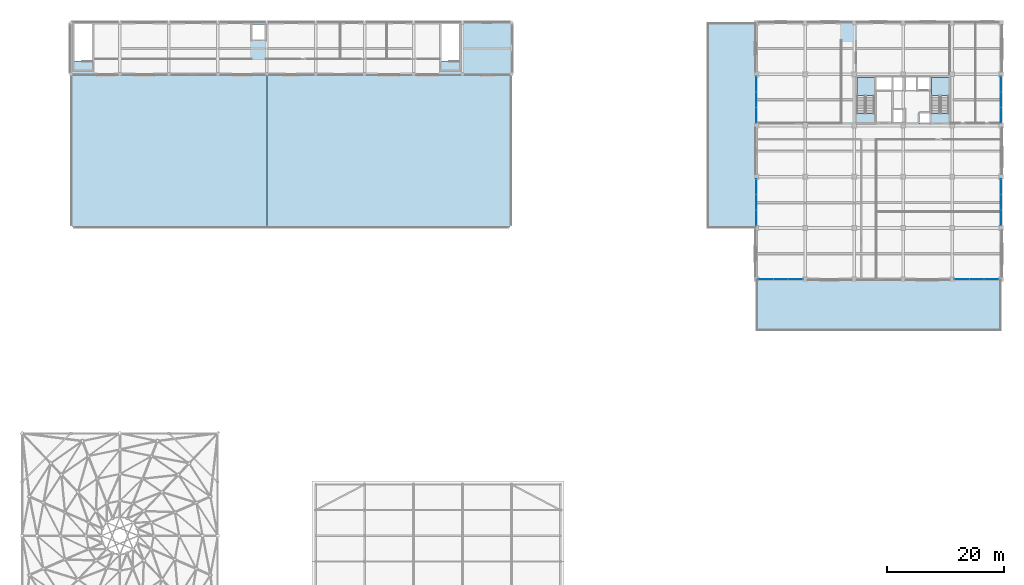
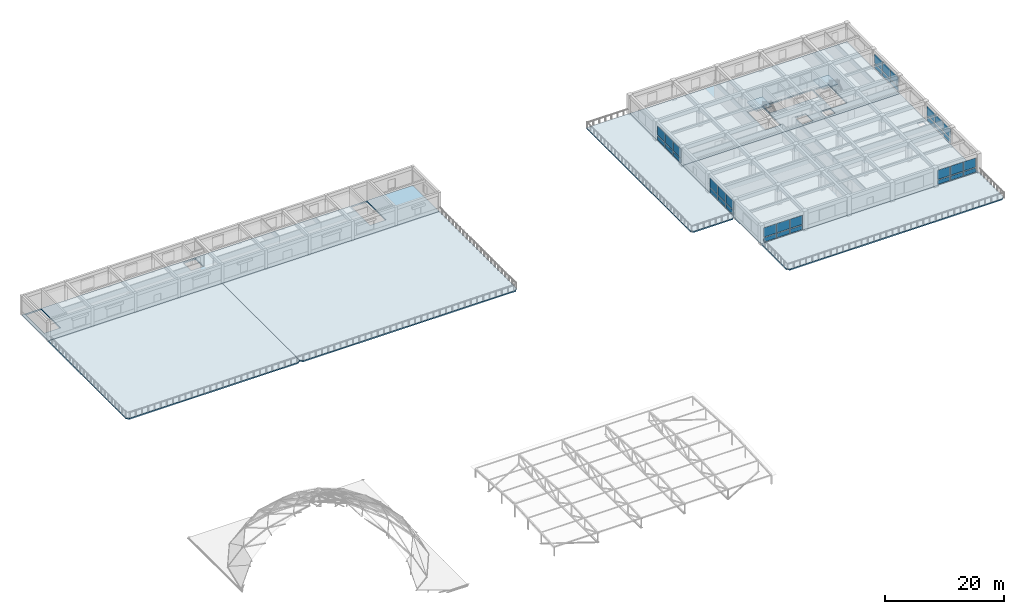
# One storey, part 32 of 49: 36 plates, 9 slabs, 8 elements without a shape of their own.
"""IFC4 building model written with IfcOpenShell, lengths in metres."""

from ifc_helpers import new_model, si_unit, direction, frame, origin, origin_2d, place, context, subcontext, project, spatial, polyline, rectangle, outline, extrude, material, layer, layer_set, type_object, element, aggregate, save


model = new_model("IFC4")

# Units and contexts
model_context = context("Model", 3, precision=1e-05, world=origin(), true_north=direction((0.0, 1.0)))
body_context = subcontext(model_context, "Body", "Model", "MODEL_VIEW")
ifc_project = project(units=[si_unit("LENGTHUNIT", "METRE"), si_unit("AREAUNIT", "SQUARE_METRE"), si_unit("VOLUMEUNIT", "CUBIC_METRE"), si_unit("PLANEANGLEUNIT", "RADIAN"), si_unit("MASSUNIT", "GRAM", prefix="KILO")], contexts=[model_context])

# Site, building, storey
site_placement = place(None, origin())
site = spatial("IfcSite", under=ifc_project, at=site_placement, CompositionType="ELEMENT")
building_placement = place(site_placement, origin())
building = spatial("IfcBuilding", under=site, at=building_placement, Name="Kemercrest Conservatory and Botanical Centre", CompositionType="ELEMENT")
storey_placement = place(building_placement, frame((0.0, 0.0, 13.199951171875)))
storey = spatial("IfcBuildingStorey", under=building, at=storey_placement, Name="L03", CompositionType="ELEMENT", Elevation=13.199951171875)

# Curtain wall, plates
ifc_material_1 = material(Name="Thermally broken aluminium and triple low-e glazing", Category="aluminium")
curtain_wall_type_1 = type_object("IfcCurtainWallType", Name="CW-03", PredefinedType="USERDEFINED", material=ifc_material_1)
curtain_wall_1_placement = place(storey_placement, origin())
curtain_wall_1 = element("IfcCurtainWall", 1, at=curtain_wall_1_placement, inside=storey, type_object=curtain_wall_type_1, Name="Unitised curtain wall CW-03 (CW:L03:V4-062)", ObjectType="UNITISED CURTAIN WALL", PredefinedType="USERDEFINED")
ifc_material_2 = material(Name="Triple low-e argon insulated glazing unit", Category="glass")
ifc_layer_1 = layer(ifc_material_2, 0.035888671875)
ifc_layer_set_1 = layer_set([ifc_layer_1], Name="Triple low-e argon insulated glazing unit")
plate_type = type_object("IfcPlateType", Name="CW-PNL036", PredefinedType="CURTAIN_PANEL", material=ifc_layer_set_1)
plate_1_placement = place(storey_placement, frame((135.6796875, 78.39990234375, 0.179931640625), z_axis=(0.0, 0.0, 1.0), x_axis=(1.0, 0.0, 0.0)))
plate_1 = element("IfcPlate", 2, at=plate_1_placement, type_object=plate_type, Name="CW-03 panel 1.1", PredefinedType="CURTAIN_PANEL", context=body_context, shape_type="SweptSolid", body=[
    extrude(rectangle(XDim=2.439208984375, YDim=0.035888671875, at=origin_2d()), origin(), (0.0, 0.0, 1.0), 0.85009765625),
])
plate_2_placement = place(storey_placement, frame((135.6796875, 78.39990234375, 1.2099609375), z_axis=(0.0, 0.0, 1.0), x_axis=(1.0, 0.0, 0.0)))
plate_2 = element("IfcPlate", 3, at=plate_2_placement, type_object=plate_type, Name="CW-03 panel 1.2", PredefinedType="CURTAIN_PANEL", context=body_context, shape_type="SweptSolid", body=[
    extrude(rectangle(XDim=2.439208984375, YDim=0.035888671875, at=origin_2d()), origin(), (0.0, 0.0, 1.0), 1.864990234375),
])
plate_3_placement = place(storey_placement, frame((138.199951171875, 78.39990234375, 0.179931640625), z_axis=(0.0, 0.0, 1.0), x_axis=(1.0, 0.0, 0.0)))
plate_3 = element("IfcPlate", 4, at=plate_3_placement, type_object=plate_type, Name="CW-03 panel 2.1", PredefinedType="CURTAIN_PANEL", context=body_context, shape_type="SweptSolid", body=[
    extrude(rectangle(XDim=2.4716796875, YDim=0.035888671875, at=origin_2d()), origin(), (0.0, 0.0, 1.0), 0.85009765625),
])
plate_4_placement = place(storey_placement, frame((138.199951171875, 78.39990234375, 1.2099609375), z_axis=(0.0, 0.0, 1.0), x_axis=(1.0, 0.0, 0.0)))
plate_4 = element("IfcPlate", 5, at=plate_4_placement, type_object=plate_type, Name="CW-03 panel 2.2", PredefinedType="CURTAIN_PANEL", context=body_context, shape_type="SweptSolid", body=[
    extrude(rectangle(XDim=2.4716796875, YDim=0.035888671875, at=origin_2d()), origin(), (0.0, 0.0, 1.0), 1.864990234375),
])
plate_5_placement = place(storey_placement, frame((140.720458984375, 78.39990234375, 0.179931640625), z_axis=(0.0, 0.0, 1.0), x_axis=(1.0, 0.0, 0.0)))
plate_5 = element("IfcPlate", 6, at=plate_5_placement, type_object=plate_type, Name="CW-03 panel 3.1", PredefinedType="CURTAIN_PANEL", context=body_context, shape_type="SweptSolid", body=[
    extrude(rectangle(XDim=2.439208984375, YDim=0.035888671875, at=origin_2d()), origin(), (0.0, 0.0, 1.0), 0.85009765625),
])
plate_6_placement = place(storey_placement, frame((140.720458984375, 78.39990234375, 1.2099609375), z_axis=(0.0, 0.0, 1.0), x_axis=(1.0, 0.0, 0.0)))
plate_6 = element("IfcPlate", 7, at=plate_6_placement, type_object=plate_type, Name="CW-03 panel 3.2", PredefinedType="CURTAIN_PANEL", context=body_context, shape_type="SweptSolid", body=[
    extrude(rectangle(XDim=2.439208984375, YDim=0.035888671875, at=origin_2d()), origin(), (0.0, 0.0, 1.0), 1.864990234375),
])
aggregate(curtain_wall_1, [plate_1, plate_2, plate_3, plate_4, plate_5, plate_6])

curtain_wall_type_2 = type_object("IfcCurtainWallType", Name="CW-04", PredefinedType="USERDEFINED", material=ifc_material_1)
curtain_wall_2_placement = place(storey_placement, origin())
curtain_wall_2 = element("IfcCurtainWall", 8, at=curtain_wall_2_placement, inside=storey, type_object=curtain_wall_type_2, Name="Unitised curtain wall CW-04 (CW:L03:V4-063)", ObjectType="UNITISED CURTAIN WALL", PredefinedType="USERDEFINED")
plate_7_placement = place(storey_placement, frame((169.279541015625, 78.39990234375, 0.179931640625), z_axis=(0.0, 0.0, 1.0), x_axis=(1.0, 0.0, 0.0)))
plate_7 = element("IfcPlate", 9, at=plate_7_placement, type_object=plate_type, Name="CW-04 panel 1.1", PredefinedType="CURTAIN_PANEL", context=body_context, shape_type="SweptSolid", body=[
    extrude(rectangle(XDim=2.439208984375, YDim=0.035888671875, at=origin_2d()), origin(), (0.0, 0.0, 1.0), 0.85009765625),
])
plate_8_placement = place(storey_placement, frame((169.279541015625, 78.39990234375, 1.2099609375), z_axis=(0.0, 0.0, 1.0), x_axis=(1.0, 0.0, 0.0)))
plate_8 = element("IfcPlate", 10, at=plate_8_placement, type_object=plate_type, Name="CW-04 panel 1.2", PredefinedType="CURTAIN_PANEL", context=body_context, shape_type="SweptSolid", body=[
    extrude(rectangle(XDim=2.439208984375, YDim=0.035888671875, at=origin_2d()), origin(), (0.0, 0.0, 1.0), 1.864990234375),
])
plate_9_placement = place(storey_placement, frame((171.800048828125, 78.39990234375, 0.179931640625), z_axis=(0.0, 0.0, 1.0), x_axis=(1.0, 0.0, 0.0)))
plate_9 = element("IfcPlate", 11, at=plate_9_placement, type_object=plate_type, Name="CW-04 panel 2.1", PredefinedType="CURTAIN_PANEL", context=body_context, shape_type="SweptSolid", body=[
    extrude(rectangle(XDim=2.4716796875, YDim=0.035888671875, at=origin_2d()), origin(), (0.0, 0.0, 1.0), 0.85009765625),
])
plate_10_placement = place(storey_placement, frame((171.800048828125, 78.39990234375, 1.2099609375), z_axis=(0.0, 0.0, 1.0), x_axis=(1.0, 0.0, 0.0)))
plate_10 = element("IfcPlate", 12, at=plate_10_placement, type_object=plate_type, Name="CW-04 panel 2.2", PredefinedType="CURTAIN_PANEL", context=body_context, shape_type="SweptSolid", body=[
    extrude(rectangle(XDim=2.4716796875, YDim=0.035888671875, at=origin_2d()), origin(), (0.0, 0.0, 1.0), 1.864990234375),
])
plate_11_placement = place(storey_placement, frame((174.3203125, 78.39990234375, 0.179931640625), z_axis=(0.0, 0.0, 1.0), x_axis=(1.0, 0.0, 0.0)))
plate_11 = element("IfcPlate", 13, at=plate_11_placement, type_object=plate_type, Name="CW-04 panel 3.1", PredefinedType="CURTAIN_PANEL", context=body_context, shape_type="SweptSolid", body=[
    extrude(rectangle(XDim=2.439208984375, YDim=0.035888671875, at=origin_2d()), origin(), (0.0, 0.0, 1.0), 0.85009765625),
])
plate_12_placement = place(storey_placement, frame((174.3203125, 78.39990234375, 1.2099609375), z_axis=(0.0, 0.0, 1.0), x_axis=(1.0, 0.0, 0.0)))
plate_12 = element("IfcPlate", 14, at=plate_12_placement, type_object=plate_type, Name="CW-04 panel 3.2", PredefinedType="CURTAIN_PANEL", context=body_context, shape_type="SweptSolid", body=[
    extrude(rectangle(XDim=2.439208984375, YDim=0.035888671875, at=origin_2d()), origin(), (0.0, 0.0, 1.0), 1.864990234375),
])
aggregate(curtain_wall_2, [plate_7, plate_8, plate_9, plate_10, plate_11, plate_12])

curtain_wall_type_3 = type_object("IfcCurtainWallType", Name="CW-05", PredefinedType="USERDEFINED", material=ifc_material_1)
curtain_wall_3_placement = place(storey_placement, origin())
curtain_wall_3 = element("IfcCurtainWall", 15, at=curtain_wall_3_placement, inside=storey, type_object=curtain_wall_type_3, Name="Unitised curtain wall CW-05 (CW:L03:V4-064)", ObjectType="UNITISED CURTAIN WALL", PredefinedType="USERDEFINED")
plate_13_placement = place(storey_placement, frame((176.0, 88.9462890625, 0.179931640625), z_axis=(0.0, 0.0, 1.0), x_axis=(0.0, 1.0, 0.0)))
plate_13 = element("IfcPlate", 16, at=plate_13_placement, type_object=plate_type, Name="CW-05 panel 1.1", PredefinedType="CURTAIN_PANEL", context=body_context, shape_type="SweptSolid", body=[
    extrude(rectangle(XDim=2.572509765625, YDim=0.035888671875, at=origin_2d()), origin(), (0.0, 0.0, 1.0), 0.85009765625),
])
plate_14_placement = place(storey_placement, frame((176.0, 88.9462890625, 1.2099609375), z_axis=(0.0, 0.0, 1.0), x_axis=(0.0, 1.0, 0.0)))
plate_14 = element("IfcPlate", 17, at=plate_14_placement, type_object=plate_type, Name="CW-05 panel 1.2", PredefinedType="CURTAIN_PANEL", context=body_context, shape_type="SweptSolid", body=[
    extrude(rectangle(XDim=2.572509765625, YDim=0.035888671875, at=origin_2d()), origin(), (0.0, 0.0, 1.0), 1.864990234375),
])
plate_15_placement = place(storey_placement, frame((176.0, 91.60009765625, 0.179931640625), z_axis=(0.0, 0.0, 1.0), x_axis=(0.0, 1.0, 0.0)))
plate_15 = element("IfcPlate", 18, at=plate_15_placement, type_object=plate_type, Name="CW-05 panel 2.1", PredefinedType="CURTAIN_PANEL", context=body_context, shape_type="SweptSolid", body=[
    extrude(rectangle(XDim=2.60498046875, YDim=0.035888671875, at=origin_2d()), origin(), (0.0, 0.0, 1.0), 0.85009765625),
])
plate_16_placement = place(storey_placement, frame((176.0, 91.60009765625, 1.2099609375), z_axis=(0.0, 0.0, 1.0), x_axis=(0.0, 1.0, 0.0)))
plate_16 = element("IfcPlate", 19, at=plate_16_placement, type_object=plate_type, Name="CW-05 panel 2.2", PredefinedType="CURTAIN_PANEL", context=body_context, shape_type="SweptSolid", body=[
    extrude(rectangle(XDim=2.60498046875, YDim=0.035888671875, at=origin_2d()), origin(), (0.0, 0.0, 1.0), 1.864990234375),
])
plate_17_placement = place(storey_placement, frame((176.0, 94.253662109375, 0.179931640625), z_axis=(0.0, 0.0, 1.0), x_axis=(0.0, 1.0, 0.0)))
plate_17 = element("IfcPlate", 20, at=plate_17_placement, type_object=plate_type, Name="CW-05 panel 3.1", PredefinedType="CURTAIN_PANEL", context=body_context, shape_type="SweptSolid", body=[
    extrude(rectangle(XDim=2.572509765625, YDim=0.035888671875, at=origin_2d()), origin(), (0.0, 0.0, 1.0), 0.85009765625),
])
plate_18_placement = place(storey_placement, frame((176.0, 94.253662109375, 1.2099609375), z_axis=(0.0, 0.0, 1.0), x_axis=(0.0, 1.0, 0.0)))
plate_18 = element("IfcPlate", 21, at=plate_18_placement, type_object=plate_type, Name="CW-05 panel 3.2", PredefinedType="CURTAIN_PANEL", context=body_context, shape_type="SweptSolid", body=[
    extrude(rectangle(XDim=2.572509765625, YDim=0.035888671875, at=origin_2d()), origin(), (0.0, 0.0, 1.0), 1.864990234375),
])
aggregate(curtain_wall_3, [plate_13, plate_14, plate_15, plate_16, plate_17, plate_18])

curtain_wall_type_4 = type_object("IfcCurtainWallType", Name="CW-06", PredefinedType="USERDEFINED", material=ifc_material_1)
curtain_wall_4_placement = place(storey_placement, origin())
curtain_wall_4 = element("IfcCurtainWall", 22, at=curtain_wall_4_placement, inside=storey, type_object=curtain_wall_type_4, Name="Unitised curtain wall CW-06 (CW:L03:V4-065)", ObjectType="UNITISED CURTAIN WALL", PredefinedType="USERDEFINED")
plate_19_placement = place(storey_placement, frame((176.0, 106.546142578125, 0.179931640625), z_axis=(0.0, 0.0, 1.0), x_axis=(0.0, 1.0, 0.0)))
plate_19 = element("IfcPlate", 23, at=plate_19_placement, type_object=plate_type, Name="CW-06 panel 1.1", PredefinedType="CURTAIN_PANEL", context=body_context, shape_type="SweptSolid", body=[
    extrude(rectangle(XDim=2.572509765625, YDim=0.035888671875, at=origin_2d()), origin(), (0.0, 0.0, 1.0), 0.85009765625),
])
plate_20_placement = place(storey_placement, frame((176.0, 106.546142578125, 1.2099609375), z_axis=(0.0, 0.0, 1.0), x_axis=(0.0, 1.0, 0.0)))
plate_20 = element("IfcPlate", 24, at=plate_20_placement, type_object=plate_type, Name="CW-06 panel 1.2", PredefinedType="CURTAIN_PANEL", context=body_context, shape_type="SweptSolid", body=[
    extrude(rectangle(XDim=2.572509765625, YDim=0.035888671875, at=origin_2d()), origin(), (0.0, 0.0, 1.0), 1.864990234375),
])
plate_21_placement = place(storey_placement, frame((176.0, 109.199951171875, 0.179931640625), z_axis=(0.0, 0.0, 1.0), x_axis=(0.0, 1.0, 0.0)))
plate_21 = element("IfcPlate", 25, at=plate_21_placement, type_object=plate_type, Name="CW-06 panel 2.1", PredefinedType="CURTAIN_PANEL", context=body_context, shape_type="SweptSolid", body=[
    extrude(rectangle(XDim=2.60498046875, YDim=0.035888671875, at=origin_2d()), origin(), (0.0, 0.0, 1.0), 0.85009765625),
])
plate_22_placement = place(storey_placement, frame((176.0, 109.199951171875, 1.2099609375), z_axis=(0.0, 0.0, 1.0), x_axis=(0.0, 1.0, 0.0)))
plate_22 = element("IfcPlate", 26, at=plate_22_placement, type_object=plate_type, Name="CW-06 panel 2.2", PredefinedType="CURTAIN_PANEL", context=body_context, shape_type="SweptSolid", body=[
    extrude(rectangle(XDim=2.60498046875, YDim=0.035888671875, at=origin_2d()), origin(), (0.0, 0.0, 1.0), 1.864990234375),
])
plate_23_placement = place(storey_placement, frame((176.0, 111.853759765625, 0.179931640625), z_axis=(0.0, 0.0, 1.0), x_axis=(0.0, 1.0, 0.0)))
plate_23 = element("IfcPlate", 27, at=plate_23_placement, type_object=plate_type, Name="CW-06 panel 3.1", PredefinedType="CURTAIN_PANEL", context=body_context, shape_type="SweptSolid", body=[
    extrude(rectangle(XDim=2.572509765625, YDim=0.035888671875, at=origin_2d()), origin(), (0.0, 0.0, 1.0), 0.85009765625),
])
plate_24_placement = place(storey_placement, frame((176.0, 111.853759765625, 1.2099609375), z_axis=(0.0, 0.0, 1.0), x_axis=(0.0, 1.0, 0.0)))
plate_24 = element("IfcPlate", 28, at=plate_24_placement, type_object=plate_type, Name="CW-06 panel 3.2", PredefinedType="CURTAIN_PANEL", context=body_context, shape_type="SweptSolid", body=[
    extrude(rectangle(XDim=2.572509765625, YDim=0.035888671875, at=origin_2d()), origin(), (0.0, 0.0, 1.0), 1.864990234375),
])
aggregate(curtain_wall_4, [plate_19, plate_20, plate_21, plate_22, plate_23, plate_24])

curtain_wall_type_5 = type_object("IfcCurtainWallType", Name="CW-07", PredefinedType="USERDEFINED", material=ifc_material_1)
curtain_wall_5_placement = place(storey_placement, origin())
curtain_wall_5 = element("IfcCurtainWall", 29, at=curtain_wall_5_placement, inside=storey, type_object=curtain_wall_type_5, Name="Unitised curtain wall CW-07 (CW:L03:V4-066)", ObjectType="UNITISED CURTAIN WALL", PredefinedType="USERDEFINED")
plate_25_placement = place(storey_placement, frame((134.0, 111.853759765625, 0.179931640625), z_axis=(0.0, 0.0, 1.0), x_axis=(0.0, -1.0, 0.0)))
plate_25 = element("IfcPlate", 30, at=plate_25_placement, type_object=plate_type, Name="CW-07 panel 1.1", PredefinedType="CURTAIN_PANEL", context=body_context, shape_type="SweptSolid", body=[
    extrude(rectangle(XDim=2.572509765625, YDim=0.035888671875, at=origin_2d()), origin(), (0.0, 0.0, 1.0), 0.85009765625),
])
plate_26_placement = place(storey_placement, frame((134.0, 111.853759765625, 1.2099609375), z_axis=(0.0, 0.0, 1.0), x_axis=(0.0, -1.0, 0.0)))
plate_26 = element("IfcPlate", 31, at=plate_26_placement, type_object=plate_type, Name="CW-07 panel 1.2", PredefinedType="CURTAIN_PANEL", context=body_context, shape_type="SweptSolid", body=[
    extrude(rectangle(XDim=2.572509765625, YDim=0.035888671875, at=origin_2d()), origin(), (0.0, 0.0, 1.0), 1.864990234375),
])
plate_27_placement = place(storey_placement, frame((134.0, 109.199951171875, 0.179931640625), z_axis=(0.0, 0.0, 1.0), x_axis=(0.0, -1.0, 0.0)))
plate_27 = element("IfcPlate", 32, at=plate_27_placement, type_object=plate_type, Name="CW-07 panel 2.1", PredefinedType="CURTAIN_PANEL", context=body_context, shape_type="SweptSolid", body=[
    extrude(rectangle(XDim=2.60498046875, YDim=0.035888671875, at=origin_2d()), origin(), (0.0, 0.0, 1.0), 0.85009765625),
])
plate_28_placement = place(storey_placement, frame((134.0, 109.199951171875, 1.2099609375), z_axis=(0.0, 0.0, 1.0), x_axis=(0.0, -1.0, 0.0)))
plate_28 = element("IfcPlate", 33, at=plate_28_placement, type_object=plate_type, Name="CW-07 panel 2.2", PredefinedType="CURTAIN_PANEL", context=body_context, shape_type="SweptSolid", body=[
    extrude(rectangle(XDim=2.60498046875, YDim=0.035888671875, at=origin_2d()), origin(), (0.0, 0.0, 1.0), 1.864990234375),
])
plate_29_placement = place(storey_placement, frame((134.0, 106.546142578125, 0.179931640625), z_axis=(0.0, 0.0, 1.0), x_axis=(0.0, -1.0, 0.0)))
plate_29 = element("IfcPlate", 34, at=plate_29_placement, type_object=plate_type, Name="CW-07 panel 3.1", PredefinedType="CURTAIN_PANEL", context=body_context, shape_type="SweptSolid", body=[
    extrude(rectangle(XDim=2.572509765625, YDim=0.035888671875, at=origin_2d()), origin(), (0.0, 0.0, 1.0), 0.85009765625),
])
plate_30_placement = place(storey_placement, frame((134.0, 106.546142578125, 1.2099609375), z_axis=(0.0, 0.0, 1.0), x_axis=(0.0, -1.0, 0.0)))
plate_30 = element("IfcPlate", 35, at=plate_30_placement, type_object=plate_type, Name="CW-07 panel 3.2", PredefinedType="CURTAIN_PANEL", context=body_context, shape_type="SweptSolid", body=[
    extrude(rectangle(XDim=2.572509765625, YDim=0.035888671875, at=origin_2d()), origin(), (0.0, 0.0, 1.0), 1.864990234375),
])
aggregate(curtain_wall_5, [plate_25, plate_26, plate_27, plate_28, plate_29, plate_30])

curtain_wall_type_6 = type_object("IfcCurtainWallType", Name="CW-08", PredefinedType="USERDEFINED", material=ifc_material_1)
curtain_wall_6_placement = place(storey_placement, origin())
curtain_wall_6 = element("IfcCurtainWall", 36, at=curtain_wall_6_placement, inside=storey, type_object=curtain_wall_type_6, Name="Unitised curtain wall CW-08 (CW:L03:V4-067)", ObjectType="UNITISED CURTAIN WALL", PredefinedType="USERDEFINED")
plate_31_placement = place(storey_placement, frame((134.0, 94.253662109375, 0.179931640625), z_axis=(0.0, 0.0, 1.0), x_axis=(0.0, -1.0, 0.0)))
plate_31 = element("IfcPlate", 37, at=plate_31_placement, type_object=plate_type, Name="CW-08 panel 1.1", PredefinedType="CURTAIN_PANEL", context=body_context, shape_type="SweptSolid", body=[
    extrude(rectangle(XDim=2.572509765625, YDim=0.035888671875, at=origin_2d()), origin(), (0.0, 0.0, 1.0), 0.85009765625),
])
plate_32_placement = place(storey_placement, frame((134.0, 94.253662109375, 1.2099609375), z_axis=(0.0, 0.0, 1.0), x_axis=(0.0, -1.0, 0.0)))
plate_32 = element("IfcPlate", 38, at=plate_32_placement, type_object=plate_type, Name="CW-08 panel 1.2", PredefinedType="CURTAIN_PANEL", context=body_context, shape_type="SweptSolid", body=[
    extrude(rectangle(XDim=2.572509765625, YDim=0.035888671875, at=origin_2d()), origin(), (0.0, 0.0, 1.0), 1.864990234375),
])
plate_33_placement = place(storey_placement, frame((134.0, 91.60009765625, 0.179931640625), z_axis=(0.0, 0.0, 1.0), x_axis=(0.0, -1.0, 0.0)))
plate_33 = element("IfcPlate", 39, at=plate_33_placement, type_object=plate_type, Name="CW-08 panel 2.1", PredefinedType="CURTAIN_PANEL", context=body_context, shape_type="SweptSolid", body=[
    extrude(rectangle(XDim=2.60498046875, YDim=0.035888671875, at=origin_2d()), origin(), (0.0, 0.0, 1.0), 0.85009765625),
])
plate_34_placement = place(storey_placement, frame((134.0, 91.60009765625, 1.2099609375), z_axis=(0.0, 0.0, 1.0), x_axis=(0.0, -1.0, 0.0)))
plate_34 = element("IfcPlate", 40, at=plate_34_placement, type_object=plate_type, Name="CW-08 panel 2.2", PredefinedType="CURTAIN_PANEL", context=body_context, shape_type="SweptSolid", body=[
    extrude(rectangle(XDim=2.60498046875, YDim=0.035888671875, at=origin_2d()), origin(), (0.0, 0.0, 1.0), 1.864990234375),
])
plate_35_placement = place(storey_placement, frame((134.0, 88.9462890625, 0.179931640625), z_axis=(0.0, 0.0, 1.0), x_axis=(0.0, -1.0, 0.0)))
plate_35 = element("IfcPlate", 41, at=plate_35_placement, type_object=plate_type, Name="CW-08 panel 3.1", PredefinedType="CURTAIN_PANEL", context=body_context, shape_type="SweptSolid", body=[
    extrude(rectangle(XDim=2.572509765625, YDim=0.035888671875, at=origin_2d()), origin(), (0.0, 0.0, 1.0), 0.85009765625),
])
plate_36_placement = place(storey_placement, frame((134.0, 88.9462890625, 1.2099609375), z_axis=(0.0, 0.0, 1.0), x_axis=(0.0, -1.0, 0.0)))
plate_36 = element("IfcPlate", 42, at=plate_36_placement, type_object=plate_type, Name="CW-08 panel 3.2", PredefinedType="CURTAIN_PANEL", context=body_context, shape_type="SweptSolid", body=[
    extrude(rectangle(XDim=2.572509765625, YDim=0.035888671875, at=origin_2d()), origin(), (0.0, 0.0, 1.0), 1.864990234375),
])
aggregate(curtain_wall_6, [plate_31, plate_32, plate_33, plate_34, plate_35, plate_36])

# Slabs
ifc_material_3 = material(Name="Concrete C40/50", Category="concrete")
ifc_layer_2 = layer(ifc_material_3, 0.280029296875)
ifc_layer_set_2 = layer_set([ifc_layer_2], Name="Concrete C40/50")
slab_type_1 = type_object("IfcSlabType", Name="SL-FL280", PredefinedType="FLOOR", material=ifc_layer_set_2)
slab_1_placement = place(storey_placement, frame((0.0, 0.0, -0.280029296875)))
element("IfcSlab", 43, at=slab_1_placement, inside=storey, type_object=slab_type_1, Name="V3 L03 Terrace Pavilion Indoor Floor Slab", PredefinedType="FLOOR", context=body_context, shape_type="SweptSolid", body=[
    extrude(outline(polyline([(16.39990234375, 122.39990234375), (16.39990234375, 113.60009765625), (92.0, 113.60009765625), (92.0, 122.39990234375), (16.39990234375, 122.39990234375)]), holes=[polyline([(83.0400390625, 122.260009765625), (83.0400390625, 115.864990234375), (79.9599609375, 115.864990234375), (79.9599609375, 122.260009765625), (83.0400390625, 122.260009765625)]), polyline([(49.800048828125, 119.39990234375), (47.39990234375, 119.39990234375), (47.39990234375, 122.10009765625), (49.800048828125, 122.10009765625), (49.800048828125, 119.39990234375)]), polyline([(16.9599609375, 115.864990234375), (16.9599609375, 122.260009765625), (20.0400390625, 122.260009765625), (20.0400390625, 115.864990234375), (16.9599609375, 115.864990234375)])]), origin(), (0.0, 0.0, 1.0), 0.280029296875),
])
slab_2_placement = place(storey_placement, frame((0.0, 0.0, -0.280029296875)))
element("IfcSlab", 44, at=slab_2_placement, inside=storey, type_object=slab_type_1, Name="V4 Tower L03 North Core and Studio Slab", PredefinedType="FLOOR", context=body_context, shape_type="SweptSolid", body=[
    extrude(outline(polyline([(134.0, 122.39990234375), (134.0, 104.800048828125), (176.0, 104.800048828125), (176.0, 122.39990234375), (134.0, 122.39990234375)]), holes=[polyline([(164.06005859375, 106.864990234375), (164.06005859375, 113.06005859375), (167.0400390625, 113.06005859375), (167.0400390625, 106.864990234375), (164.06005859375, 106.864990234375)]), polyline([(154.39990234375, 110.800048828125), (154.39990234375, 113.199951171875), (163.89990234375, 113.199951171875), (163.89990234375, 110.800048828125), (154.39990234375, 110.800048828125)]), polyline([(161.949951171875, 105.25), (161.949951171875, 106.949951171875), (163.85009765625, 106.949951171875), (163.85009765625, 105.25), (161.949951171875, 105.25)]), polyline([(157.39990234375, 105.199951171875), (157.39990234375, 107.60009765625), (159.5, 107.60009765625), (159.5, 105.199951171875), (157.39990234375, 105.199951171875)]), polyline([(154.239990234375, 106.864990234375), (151.260009765625, 106.864990234375), (151.260009765625, 113.06005859375), (154.239990234375, 113.06005859375), (154.239990234375, 106.864990234375)])]), origin(), (0.0, 0.0, 1.0), 0.280029296875),
])
slab_3_placement = place(storey_placement, frame((0.0, 0.0, -0.280029296875)))
element("IfcSlab", 45, at=slab_3_placement, inside=storey, type_object=slab_type_1, Name="V4 Tower L03 South Laboratory Slab", PredefinedType="FLOOR", context=body_context, shape_type="SweptSolid", body=[
    extrude(outline(polyline([(134.0, 104.800048828125), (134.0, 78.39990234375), (176.0, 78.39990234375), (176.0, 104.800048828125), (134.0, 104.800048828125)]), holes=[polyline([(175.39990234375, 94.800048828125), (174.199951171875, 94.800048828125), (174.199951171875, 95.800048828125), (175.39990234375, 95.800048828125), (175.39990234375, 94.800048828125)])]), origin(), (0.0, 0.0, 1.0), 0.280029296875),
])

# Stair, slab
stair_type = type_object("IfcStairType", Name="ST-142-40", PredefinedType="HALF_TURN_STAIR", material=ifc_material_3)
stair_1_placement = place(storey_placement, origin())
stair_1 = element("IfcStair", 46, at=stair_1_placement, inside=storey, type_object=stair_type, Name="L03 Exit stair ST-V4A", PredefinedType="HALF_TURN_STAIR")
ifc_layer_3 = layer(ifc_material_3, 0.199951171875)
ifc_layer_set_3 = layer_set([ifc_layer_3], Name="Concrete C40/50")
slab_type_2 = type_object("IfcSlabType", Name="SL-LND200", PredefinedType="LANDING", material=ifc_layer_set_3)
slab_4_placement = place(storey_placement, frame((0.0, 0.0, 1.800048828125)))
slab_4 = element("IfcSlab", 47, at=slab_4_placement, type_object=slab_type_2, Name="ST-V4A landing 1", PredefinedType="LANDING", context=body_context, shape_type="SweptSolid", body=[
    extrude(outline(polyline([(154.239990234375, 109.919921875), (154.239990234375, 113.06005859375), (151.260009765625, 113.06005859375), (151.260009765625, 109.919921875), (154.239990234375, 109.919921875)])), origin(), (0.0, 0.0, 1.0), 0.199951171875),
])
aggregate(stair_1, [slab_4])

stair_2_placement = place(storey_placement, origin())
stair_2 = element("IfcStair", 48, at=stair_2_placement, inside=storey, type_object=stair_type, Name="L03 Exit stair ST-V4B", PredefinedType="HALF_TURN_STAIR")
slab_5_placement = place(storey_placement, frame((0.0, 0.0, 1.800048828125)))
slab_5 = element("IfcSlab", 49, at=slab_5_placement, type_object=slab_type_2, Name="ST-V4B landing 1", PredefinedType="LANDING", context=body_context, shape_type="SweptSolid", body=[
    extrude(outline(polyline([(167.0400390625, 109.919921875), (167.0400390625, 113.06005859375), (164.06005859375, 113.06005859375), (164.06005859375, 109.919921875), (167.0400390625, 109.919921875)])), origin(), (0.0, 0.0, 1.0), 0.199951171875),
])
aggregate(stair_2, [slab_5])

# Slabs
ifc_layer_4 = layer(ifc_material_3, 0.260009765625)
ifc_layer_set_4 = layer_set([ifc_layer_4], Name="Concrete C40/50")
slab_type_3 = type_object("IfcSlabType", Name="SL-TER260", PredefinedType="ROOF", material=ifc_layer_set_4)
slab_6_placement = place(storey_placement, frame((0.0, 0.0, -0.260009765625)))
element("IfcSlab", 50, at=slab_6_placement, inside=storey, type_object=slab_type_3, Name="V3 L03 Public Botanical Roof Terrace Slab 1", PredefinedType="ROOF", context=body_context, shape_type="SweptSolid", body=[
    extrude(outline(polyline([(16.85009765625, 87.199951171875), (49.550048828125, 87.199951171875), (50.0, 87.64990234375), (50.0, 113.60009765625), (16.39990234375, 113.60009765625), (16.39990234375, 87.64990234375), (16.85009765625, 87.199951171875)])), origin(), (0.0, 0.0, 1.0), 0.260009765625),
])
slab_7_placement = place(storey_placement, frame((0.0, 0.0, -0.260009765625)))
element("IfcSlab", 51, at=slab_7_placement, inside=storey, type_object=slab_type_3, Name="V3 L03 Public Botanical Roof Terrace Slab 2", PredefinedType="ROOF", context=body_context, shape_type="SweptSolid", body=[
    extrude(outline(polyline([(50.449951171875, 87.199951171875), (91.550048828125, 87.199951171875), (92.0, 87.64990234375), (92.0, 113.60009765625), (50.0, 113.60009765625), (50.0, 87.64990234375), (50.449951171875, 87.199951171875)])), origin(), (0.0, 0.0, 1.0), 0.260009765625),
])
slab_8_placement = place(storey_placement, frame((0.0, 0.0, -0.260009765625)))
element("IfcSlab", 52, at=slab_8_placement, inside=storey, type_object=slab_type_3, Name="V4 L03 West Botanical Setback Terrace", PredefinedType="ROOF", context=body_context, shape_type="SweptSolid", body=[
    extrude(outline(polyline([(126.050048828125, 87.199951171875), (133.550048828125, 87.199951171875), (134.0, 87.64990234375), (134.0, 122.39990234375), (125.60009765625, 122.39990234375), (125.60009765625, 87.64990234375), (126.050048828125, 87.199951171875)])), origin(), (0.0, 0.0, 1.0), 0.260009765625),
])
slab_9_placement = place(storey_placement, frame((0.0, 0.0, -0.260009765625)))
element("IfcSlab", 53, at=slab_9_placement, inside=storey, type_object=slab_type_3, Name="V4 L03 South Harbour Setback Terrace", PredefinedType="ROOF", context=body_context, shape_type="SweptSolid", body=[
    extrude(outline(polyline([(134.449951171875, 69.60009765625), (175.550048828125, 69.60009765625), (176.0, 70.050048828125), (176.0, 78.39990234375), (134.0, 78.39990234375), (134.0, 70.050048828125), (134.449951171875, 69.60009765625)])), origin(), (0.0, 0.0, 1.0), 0.260009765625),
])

save(model, "model.ifc")
